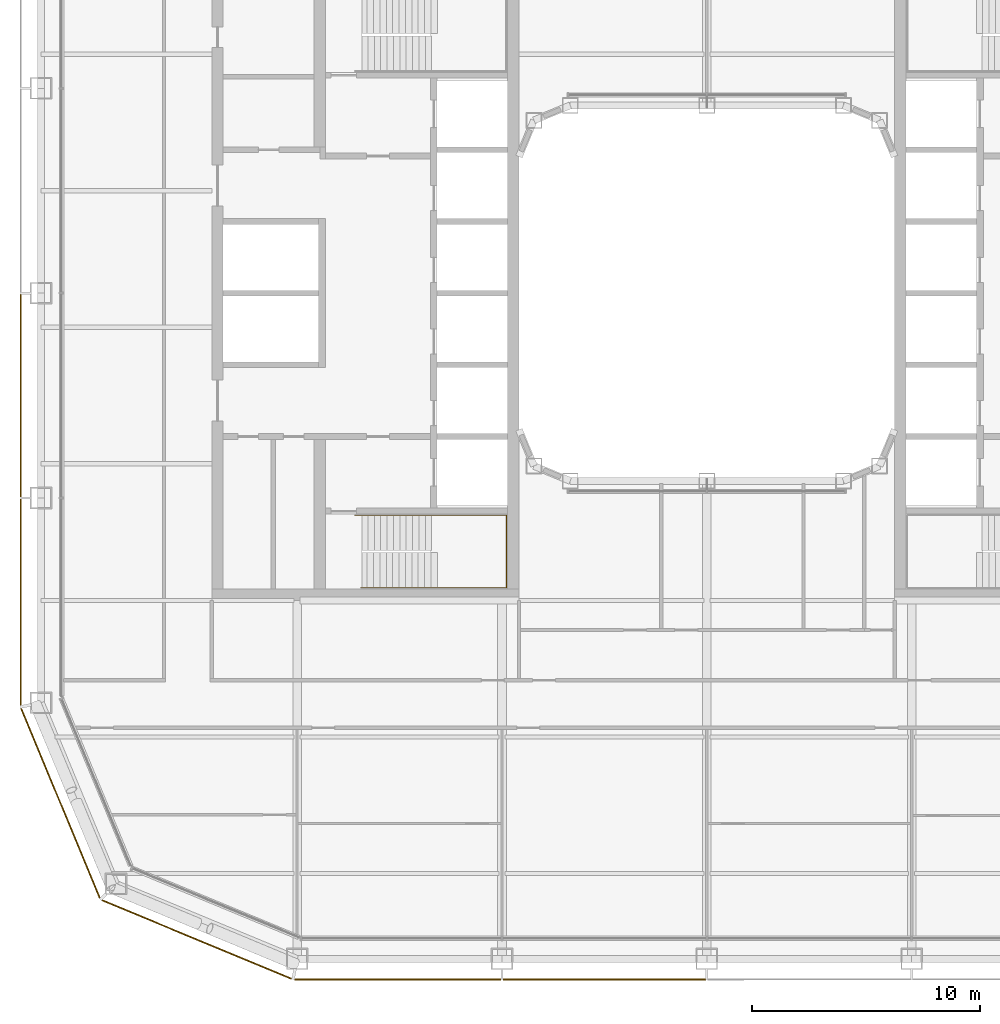
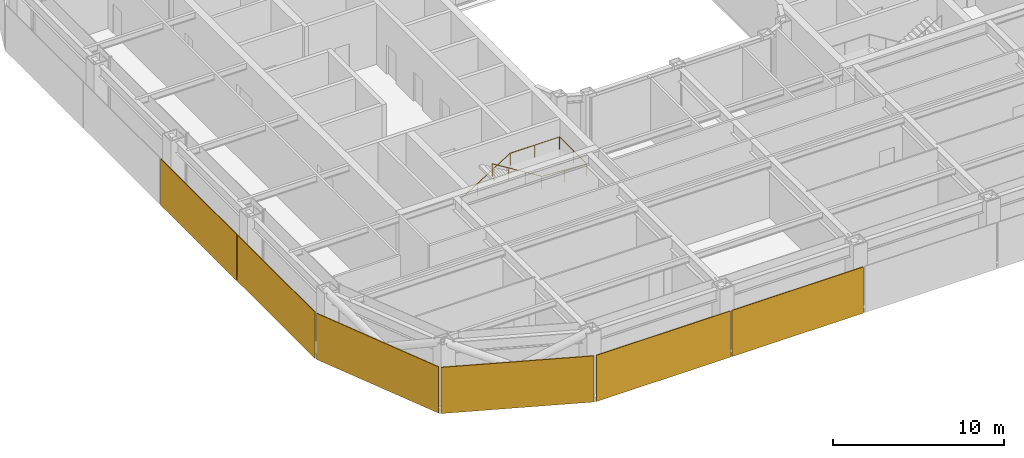
# One storey, part 17 of 21: 6 coverings, 1 railing.
"""IFC4 building model written with IfcOpenShell, lengths in metres."""

from ifc_helpers import new_model, si_unit, direction, frame, origin, origin_2d, place, context, subcontext, project, spatial, rectangle, circle, extrude, material, layer, layer_set, type_object, element, save


model = new_model("IFC4")

# Units and contexts
model_context = context("Model", 3, precision=1e-05, world=origin(), true_north=direction((0.0, 1.0)))
body_context = subcontext(model_context, "Body", "Model", "MODEL_VIEW")
ifc_project = project(units=[si_unit("LENGTHUNIT", "METRE"), si_unit("AREAUNIT", "SQUARE_METRE"), si_unit("VOLUMEUNIT", "CUBIC_METRE"), si_unit("PLANEANGLEUNIT", "RADIAN"), si_unit("MASSUNIT", "GRAM", prefix="KILO")], contexts=[model_context])

# Site, building, storey
site_placement = place(None, origin())
site = spatial("IfcSite", under=ifc_project, at=site_placement, CompositionType="ELEMENT")
building_placement = place(site_placement, origin())
building = spatial("IfcBuilding", under=site, at=building_placement, Name="Siwar Civic Tower", CompositionType="ELEMENT")
storey_placement = place(building_placement, frame((0.0, 0.0, 104.699951171875)))
storey = spatial("IfcBuildingStorey", under=building, at=storey_placement, Name="L22", CompositionType="ELEMENT", Elevation=104.699951171875)

# Railing
ifc_material_1 = material(Name="Stainless steel", Category="steel")
railing_type = type_object("IfcRailingType", Name="CORE-STAIR-HANDRAIL", PredefinedType="HANDRAIL", material=ifc_material_1)
railing_placement = place(storey_placement, frame((-15.449951171875, -9.758056640625, 0.173095703125)))
element("IfcRailing", 1, at=railing_placement, inside=storey, type_object=railing_type, Name="Stair handrail ST2", PredefinedType="HANDRAIL", context=body_context, shape_type="SweptSolid", body=[
    extrude(circle(Radius=0.02001953125, at=origin_2d()), frame((0.0, 0.0, 0.8798828125), z_axis=(0.847063342986, 0.0, 0.531491950051), x_axis=(0.0, 1.0, 0.0)), (0.0, 0.0, 1.0), 3.90771484375),
    extrude(circle(Radius=0.02001953125, at=origin_2d()), frame((3.31005859375, 0.0, 2.956787109375), z_axis=(1.0, 0.0, 0.0), x_axis=(0.0, 1.0, 0.0)), (0.0, 0.0, 1.0), 3.331787109375),
    extrude(circle(Radius=0.02001953125, at=origin_2d()), frame((6.641845703125, 0.0, 2.956787109375), z_axis=(0.0, -1.0, 0.0), x_axis=(1.0, 0.0, 0.0)), (0.0, 0.0, 1.0), 3.183837890625),
    extrude(circle(Radius=0.02001953125, at=origin_2d()), frame((6.641845703125, -3.183837890625, 2.956787109375), z_axis=(-0.99837434197, 0.0, 0.056997134106), x_axis=(0.0, -1.0, 0.0)), (0.0, 0.0, 1.0), 3.036865234375),
    extrude(circle(Radius=0.02001953125, at=origin_2d()), frame((3.60986328125, -3.183837890625, 3.1298828125), z_axis=(-0.850606129759, 0.0, 0.525803396734), x_axis=(0.0, -1.0, 0.0)), (0.0, 0.0, 1.0), 3.949951171875),
    extrude(circle(Radius=0.02001953125, at=origin_2d()), origin(), (0.0, 0.0, 1.0), 0.85986328125),
    extrude(circle(Radius=0.02001953125, at=origin_2d()), frame((1.103271484375, 0.0, 0.6923828125)), (0.0, 0.0, 1.0), 0.85986328125),
    extrude(circle(Radius=0.02001953125, at=origin_2d()), frame((2.206787109375, 0.0, 1.384521484375)), (0.0, 0.0, 1.0), 0.85986328125),
    extrude(circle(Radius=0.02001953125, at=origin_2d()), frame((3.31005859375, 0.0, 2.076904296875)), (0.0, 0.0, 1.0), 0.85986328125),
    extrude(circle(Radius=0.02001953125, at=origin_2d()), frame((4.97607421875, 0.0, 2.076904296875)), (0.0, 0.0, 1.0), 0.85986328125),
    extrude(circle(Radius=0.02001953125, at=origin_2d()), frame((6.641845703125, 0.0, 2.076904296875)), (0.0, 0.0, 1.0), 0.85986328125),
    extrude(circle(Radius=0.02001953125, at=origin_2d()), frame((6.641845703125, -1.591796875, 2.076904296875)), (0.0, 0.0, 1.0), 0.85986328125),
    extrude(circle(Radius=0.02001953125, at=origin_2d()), frame((6.641845703125, -3.183837890625, 2.076904296875)), (0.0, 0.0, 1.0), 0.85986328125),
    extrude(circle(Radius=0.02001953125, at=origin_2d()), frame((5.1259765625, -3.183837890625, 2.16357421875)), (0.0, 0.0, 1.0), 0.85986328125),
    extrude(circle(Radius=0.02001953125, at=origin_2d()), frame((3.60986328125, -3.183837890625, 2.25)), (0.0, 0.0, 1.0), 0.85986328125),
    extrude(circle(Radius=0.02001953125, at=origin_2d()), frame((2.489990234375, -3.183837890625, 2.9423828125)), (0.0, 0.0, 1.0), 0.85986328125),
    extrude(circle(Radius=0.02001953125, at=origin_2d()), frame((1.369873046875, -3.183837890625, 3.634521484375)), (0.0, 0.0, 1.0), 0.85986328125),
    extrude(circle(Radius=0.02001953125, at=origin_2d()), frame((0.25, -3.183837890625, 4.326904296875)), (0.0, 0.0, 1.0), 0.85986328125),
])

# Coverings
ifc_material_2 = material(Name="Perforated aluminium cassette, pale metal", Category="aluminium")
ifc_layer_1 = layer(ifc_material_2, 0.050048828125)
ifc_layer_set_1 = layer_set([ifc_layer_1], Name="Perforated aluminium cassette, pale metal")
covering_type_1 = type_object("IfcCoveringType", Name="ENV-OUTER SKIN OS-3", PredefinedType="CLADDING", material=ifc_layer_set_1)
covering_1_placement = place(storey_placement, frame((-30.14990234375, -4.5, -0.14990234375), z_axis=(0.0, 0.0, 1.0), x_axis=(0.0, -1.0, 0.0)))
element("IfcCovering", 2, at=covering_1_placement, inside=storey, type_object=covering_type_1, Name="OUTER SKIN OS-3 W 3", PredefinedType="CLADDING", context=body_context, shape_type="SweptSolid", body=[
    extrude(rectangle(XDim=8.89990234375, YDim=0.050048828125, at=origin_2d()), origin(), (0.0, 0.0, 1.0), 3.300048828125),
])
covering_2_placement = place(storey_placement, frame((-30.14990234375, -13.57958984375, -0.14990234375), z_axis=(0.0, 0.0, 1.0), x_axis=(0.0, -1.0, 0.0)))
element("IfcCovering", 3, at=covering_2_placement, inside=storey, type_object=covering_type_1, Name="OUTER SKIN OS-3 W 4", PredefinedType="CLADDING", context=body_context, shape_type="SweptSolid", body=[
    extrude(rectangle(XDim=9.05908203125, YDim=0.050048828125, at=origin_2d()), origin(), (0.0, 0.0, 1.0), 3.300048828125),
])
ifc_material_3 = material(Name="Perforated aluminium cassette, pale metal", Category="aluminium")
ifc_layer_2 = layer(ifc_material_3, 0.054931640625)
ifc_layer_set_2 = layer_set([ifc_layer_2], Name="Perforated aluminium cassette, pale metal")
covering_type_2 = type_object("IfcCoveringType", Name="ENV-OUTER SKIN OS-4", PredefinedType="CLADDING", material=ifc_layer_set_2)
covering_3_placement = place(storey_placement, frame((-13.57958984375, -30.14990234375, -0.14990234375), z_axis=(0.0, 0.0, 1.0), x_axis=(1.0, 0.0, 0.0)))
element("IfcCovering", 4, at=covering_3_placement, inside=storey, type_object=covering_type_2, Name="OUTER SKIN OS-4 S 1", PredefinedType="CLADDING", context=body_context, shape_type="SweptSolid", body=[
    extrude(rectangle(XDim=9.05908203125, YDim=0.054931640625, at=origin_2d()), origin(), (0.0, 0.0, 1.0), 3.300048828125),
])
covering_4_placement = place(storey_placement, frame((-4.5, -30.14990234375, -0.14990234375), z_axis=(0.0, 0.0, 1.0), x_axis=(1.0, 0.0, 0.0)))
element("IfcCovering", 5, at=covering_4_placement, inside=storey, type_object=covering_type_2, Name="OUTER SKIN OS-4 S 2", PredefinedType="CLADDING", context=body_context, shape_type="SweptSolid", body=[
    extrude(rectangle(XDim=8.89990234375, YDim=0.054931640625, at=origin_2d()), origin(), (0.0, 0.0, 1.0), 3.300048828125),
])
for number, where, z_axis, x_axis, name in (
    (6, (-28.39697265625, -22.411376953125, -0.14990234375), (0.0, 0.0, 1.0), (0.382683432365, -0.923879532511, 0.0), "OUTER SKIN OS-4 SW1 1"),
    (7, (-22.411376953125, -28.39697265625, -0.14990234375), (0.0, 0.0, 1.0), (0.923879532511, -0.382683432365, 0.0), "OUTER SKIN OS-4 SW2 1"),
):
    element("IfcCovering", number, at=place(storey_placement, frame(where, z_axis=z_axis, x_axis=x_axis)), inside=storey, type_object=covering_type_2, Name=name, PredefinedType="CLADDING", context=body_context, shape_type="SweptSolid", body=[
        extrude(rectangle(XDim=9.022216796875, YDim=0.054931640625, at=origin_2d()), origin(), (0.0, 0.0, 1.0), 3.300048828125),
    ])

save(model, "model.ifc")
